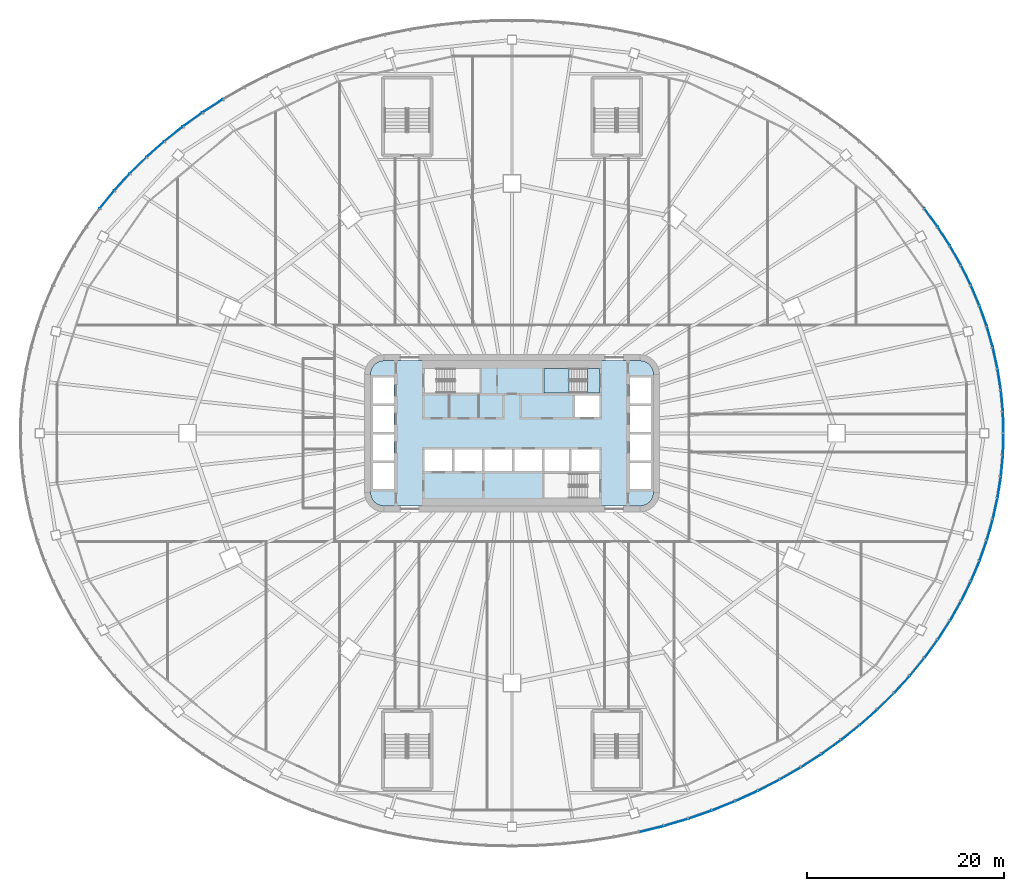
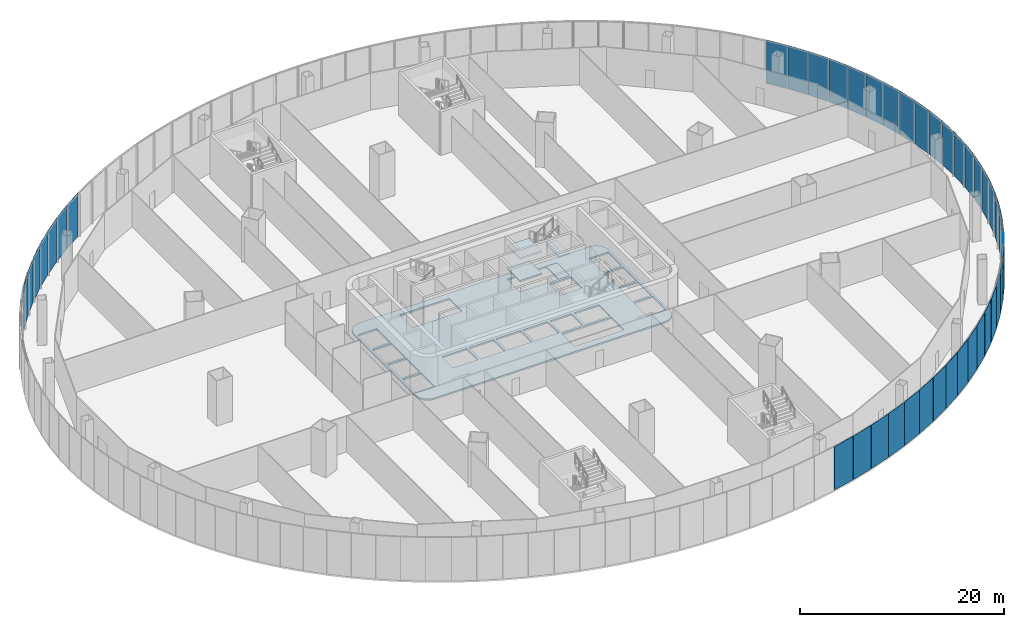
# One storey, part 18 of 42: 43 plates, 5 slabs, 11 elements without a shape of their own.
"""IFC4 building model written with IfcOpenShell, lengths in metres."""

from ifc_helpers import new_model, si_unit, direction, frame, origin, place, context, subcontext, project, spatial, polyline, outline, extrude, material, layer, layer_set, type_object, element, aggregate, save


model = new_model("IFC4")

# Units and contexts
model_context = context("Model", 3, precision=1e-05, world=origin(), true_north=direction((0.0, 1.0)))
body_context = subcontext(model_context, "Body", "Model", "MODEL_VIEW")
ifc_project = project(units=[si_unit("LENGTHUNIT", "METRE"), si_unit("AREAUNIT", "SQUARE_METRE"), si_unit("VOLUMEUNIT", "CUBIC_METRE"), si_unit("PLANEANGLEUNIT", "RADIAN"), si_unit("MASSUNIT", "GRAM", prefix="KILO")], contexts=[model_context])

# Site, building, storey
site_placement = place(None, origin())
site = spatial("IfcSite", under=ifc_project, at=site_placement, CompositionType="ELEMENT")
building_placement = place(site_placement, origin())
building = spatial("IfcBuilding", under=site, at=building_placement, Name="Sahrelin Media Tower", CompositionType="ELEMENT")
storey_placement = place(building_placement, frame((0.0, 0.0, 26.0)))
storey = spatial("IfcBuildingStorey", under=building, at=storey_placement, Name="L03", CompositionType="ELEMENT", Elevation=26.0)

# Slab
ifc_material_1 = material(Name="Concrete C40/50", Category="concrete")
ifc_layer_1 = layer(ifc_material_1, 0.199951171875)
ifc_layer_set_1 = layer_set([ifc_layer_1], Name="Core floor slab 200")
slab_type_1 = type_object("IfcSlabType", Name="Core floor slab 200", PredefinedType="FLOOR", material=ifc_layer_set_1)
placement = place(storey_placement, frame((0.0, 0.0, -0.199951171875)))
element("IfcSlab", 1, at=placement, inside=storey, type_object=slab_type_1, Name="Core floor", PredefinedType="FLOOR", context=body_context, shape_type="SweptSolid", body=[
    extrude(outline(polyline([(-13.986328125, 6.986328125), (-14.2080078125, 6.697509765625), (-14.347412109375, 6.361083984375), (-14.39990234375, 5.960693359375), (-14.39990234375, -5.960693359375), (-14.347412109375, -6.361083984375), (-14.2080078125, -6.697509765625), (-13.986328125, -6.986328125), (-13.697509765625, -7.2080078125), (-13.361083984375, -7.347412109375), (-12.960693359375, -7.39990234375), (12.960693359375, -7.39990234375), (13.361083984375, -7.347412109375), (13.697509765625, -7.2080078125), (13.986328125, -6.986328125), (14.2080078125, -6.697509765625), (14.347412109375, -6.361083984375), (14.39990234375, -5.960693359375), (14.39990234375, 5.960693359375), (14.347412109375, 6.361083984375), (14.2080078125, 6.697509765625), (13.986328125, 6.986328125), (13.697509765625, 7.2080078125), (13.361083984375, 7.347412109375), (12.960693359375, 7.39990234375), (-12.960693359375, 7.39990234375), (-13.361083984375, 7.347412109375), (-13.697509765625, 7.2080078125), (-13.986328125, 6.986328125)]), holes=[polyline([(-14.14990234375, 5.675048828125), (-14.14990234375, 3.02490234375), (-12.0, 3.02490234375), (-12.0, 5.675048828125), (-14.14990234375, 5.675048828125)]), polyline([(-12.0, 2.77490234375), (-14.14990234375, 2.77490234375), (-14.14990234375, 0.125), (-12.0, 0.125), (-12.0, 2.77490234375)]), polyline([(-12.0, -2.77490234375), (-12.0, -0.125), (-14.14990234375, -0.125), (-14.14990234375, -2.77490234375), (-12.0, -2.77490234375)]), polyline([(-14.14990234375, -5.675048828125), (-12.0, -5.675048828125), (-12.0, -3.02490234375), (-14.14990234375, -3.02490234375), (-14.14990234375, -5.675048828125)]), polyline([(12.0, 5.675048828125), (12.0, 3.02490234375), (14.14990234375, 3.02490234375), (14.14990234375, 5.675048828125), (12.0, 5.675048828125)]), polyline([(14.14990234375, 2.77490234375), (12.0, 2.77490234375), (12.0, 0.125), (14.14990234375, 0.125), (14.14990234375, 2.77490234375)]), polyline([(14.14990234375, -2.77490234375), (14.14990234375, -0.125), (12.0, -0.125), (12.0, -2.77490234375), (14.14990234375, -2.77490234375)]), polyline([(12.0, -5.675048828125), (14.14990234375, -5.675048828125), (14.14990234375, -3.02490234375), (12.0, -3.02490234375), (12.0, -5.675048828125)]), polyline([(6.425048828125, 3.85009765625), (6.425048828125, 1.64990234375), (8.875, 1.64990234375), (8.875, 3.85009765625), (6.425048828125, 3.85009765625)]), polyline([(-6.074951171875, -1.64990234375), (-8.875, -1.64990234375), (-8.875, -3.85009765625), (-6.074951171875, -3.85009765625), (-6.074951171875, -1.64990234375)]), polyline([(-3.02490234375, -3.85009765625), (-3.02490234375, -1.64990234375), (-5.824951171875, -1.64990234375), (-5.824951171875, -3.85009765625), (-3.02490234375, -3.85009765625)]), polyline([(-2.77490234375, -3.85009765625), (0.02490234375, -3.85009765625), (0.02490234375, -1.64990234375), (-2.77490234375, -1.64990234375), (-2.77490234375, -3.85009765625)]), polyline([(0.27490234375, -1.64990234375), (0.27490234375, -3.85009765625), (3.074951171875, -3.85009765625), (3.074951171875, -1.64990234375), (0.27490234375, -1.64990234375)]), polyline([(5.77490234375, -1.64990234375), (3.324951171875, -1.64990234375), (3.324951171875, -3.85009765625), (5.77490234375, -3.85009765625), (5.77490234375, -1.64990234375)]), polyline([(8.875, -3.85009765625), (8.875, -1.64990234375), (6.02490234375, -1.64990234375), (6.02490234375, -3.85009765625), (8.875, -3.85009765625)]), polyline([(-8.875, 6.60009765625), (-8.875, 4.10009765625), (-3.27490234375, 4.10009765625), (-3.27490234375, 6.60009765625), (-8.875, 6.60009765625)]), polyline([(3.27490234375, 4.10009765625), (8.875, 4.10009765625), (8.875, 6.60009765625), (3.27490234375, 6.60009765625), (3.27490234375, 4.10009765625)]), polyline([(3.27490234375, -4.10009765625), (3.27490234375, -6.60009765625), (8.875, -6.60009765625), (8.875, -4.10009765625), (3.27490234375, -4.10009765625)])]), origin(), (0.0, 0.0, 1.0), 0.199951171875),
])

# Curtain wall, plates
ifc_material_2 = material(Name="Champagne anodised aluminium 6063-T6", Category="aluminium")
ifc_layer_2 = layer(ifc_material_2, 0.14990234375)
ifc_layer_set_2 = layer_set([ifc_layer_2], Name="Podium ribbon curtain wall")
curtain_wall_type = type_object("IfcCurtainWallType", Name="Podium ribbon curtain wall", PredefinedType="NOTDEFINED", material=ifc_layer_set_2)
curtain_wall_1_placement = place(storey_placement, frame((50.0, 0.0, 0.0), z_axis=(0.0, 0.0, 1.0), x_axis=(1.0, 0.0, 0.0)))
curtain_wall_1 = element("IfcCurtainWall", 2, at=curtain_wall_1_placement, inside=storey, type_object=curtain_wall_type, Name="L03:CW:L03-P00", PredefinedType="NOTDEFINED")
ifc_material_3 = material(Name="Clear low-iron glazing", Category="glass")
ifc_layer_3 = layer(ifc_material_3, 0.050048828125)
ifc_layer_set_3 = layer_set([ifc_layer_3], Name="Glazing panel 50 mm CW5")
plate_type = type_object("IfcPlateType", Name="Glazing panel 50 mm CW5", PredefinedType="CURTAIN_PANEL", material=ifc_layer_set_3)
plate_1_placement = place(storey_placement, frame((50.018310546875, 0.050537109375, 0.0), z_axis=(0.999515505573, 0.031124815153, 0.0), x_axis=(-0.031124815153, 0.999515505573, 0.0)))
plate_1 = element("IfcPlate", 3, at=plate_1_placement, type_object=plate_type, Name="L03:CWP1a:L03-P00", PredefinedType="CURTAIN_PANEL", context=body_context, shape_type="SweptSolid", body=[
    extrude(outline(polyline([(0.0, 0.0), (2.149169921875, 0.0), (2.149169921875, 5.199951171875), (0.0, 5.199951171875), (0.0, 0.0)])), origin(), (0.0, 0.0, -1.0), 0.050048828125),
])
plate_2_placement = place(storey_placement, frame((49.94677734375, 2.249755859375, 0.0), z_axis=(0.995641143161, 0.093266896829, 0.0), x_axis=(-0.093266896829, 0.995641143161, 0.0)))
plate_2 = element("IfcPlate", 4, at=plate_2_placement, type_object=plate_type, Name="L03:CWP2a:L03-P00", PredefinedType="CURTAIN_PANEL", context=body_context, shape_type="SweptSolid", body=[
    extrude(outline(polyline([(0.0, 0.0), (2.151611328125, 0.0), (2.151611328125, 5.199951171875), (0.0, 5.199951171875), (0.0, 0.0)])), origin(), (0.0, 0.0, -1.0), 0.050048828125),
])
plate_3_placement = place(storey_placement, frame((49.738037109375, 4.442626953125, 0.0), z_axis=(0.987953146465, 0.154753288784, 0.0), x_axis=(-0.154753288784, 0.987953146465, 0.0)))
plate_3 = element("IfcPlate", 5, at=plate_3_placement, type_object=plate_type, Name="L03:CWP3a:L03-P00", PredefinedType="CURTAIN_PANEL", context=body_context, shape_type="SweptSolid", body=[
    extrude(outline(polyline([(0.0, 0.0), (2.156494140625, 0.0), (2.156494140625, 5.199951171875), (0.0, 5.199951171875), (0.0, 0.0)])), origin(), (0.0, 0.0, -1.0), 0.050048828125),
])
plate_4_placement = place(storey_placement, frame((49.393310546875, 6.623291015625, 0.0), z_axis=(0.976509812281, 0.21547293686, 0.0), x_axis=(-0.21547293686, 0.976509812281, 0.0)))
plate_4 = element("IfcPlate", 6, at=plate_4_placement, type_object=plate_type, Name="L03:CWP4a:L03-P00", PredefinedType="CURTAIN_PANEL", context=body_context, shape_type="SweptSolid", body=[
    extrude(outline(polyline([(0.0, 0.0), (2.1640625, 0.0), (2.1640625, 5.199951171875), (0.0, 5.199951171875), (0.0, 0.0)])), origin(), (0.0, 0.0, -1.0), 0.050048828125),
])
plate_5_placement = place(storey_placement, frame((48.912841796875, 8.785888671875, 0.0), z_axis=(0.961494274984, 0.274824960972, 0.0), x_axis=(-0.274824960972, 0.961494274984, 0.0)))
plate_5 = element("IfcPlate", 7, at=plate_5_placement, type_object=plate_type, Name="L03:CWP5a:L03-P00", PredefinedType="CURTAIN_PANEL", context=body_context, shape_type="SweptSolid", body=[
    extrude(outline(polyline([(0.0, 0.0), (2.173828125, 0.0), (2.173828125, 5.199951171875), (0.0, 5.199951171875), (0.0, 0.0)])), origin(), (0.0, 0.0, -1.0), 0.050048828125),
])
aggregate(curtain_wall_1, [plate_1, plate_2, plate_3, plate_4, plate_5])

curtain_wall_2_placement = place(storey_placement, frame((48.29638671875, 10.870361328125, 0.0), z_axis=(0.0, 0.0, 1.0), x_axis=(1.0, 0.0, 0.0)))
curtain_wall_2 = element("IfcCurtainWall", 8, at=curtain_wall_2_placement, inside=storey, type_object=curtain_wall_type, Name="L03:CW:L03-P01", PredefinedType="NOTDEFINED")
plate_6_placement = place(storey_placement, frame((48.298583984375, 10.92431640625, 0.0), z_axis=(0.943078982839, 0.332568838179, 0.0), x_axis=(-0.332568838179, 0.943078982839, 0.0)))
plate_6 = element("IfcPlate", 9, at=plate_6_placement, type_object=plate_type, Name="L03:CWP1a:L03-P01", PredefinedType="CURTAIN_PANEL", context=body_context, shape_type="SweptSolid", body=[
    extrude(outline(polyline([(0.0, 0.0), (2.185546875, 0.0), (2.185546875, 5.199951171875), (0.0, 5.199951171875), (0.0, 0.0)])), origin(), (0.0, 0.0, -1.0), 0.050048828125),
])
plate_7_placement = place(storey_placement, frame((47.5517578125, 13.032470703125, 0.0), z_axis=(0.921499510247, 0.388379521363, 0.0), x_axis=(-0.388379521363, 0.921499510247, 0.0)))
plate_7 = element("IfcPlate", 10, at=plate_7_placement, type_object=plate_type, Name="L03:CWP2a:L03-P01", PredefinedType="CURTAIN_PANEL", context=body_context, shape_type="SweptSolid", body=[
    extrude(outline(polyline([(0.0, 0.0), (2.199462890625, 0.0), (2.199462890625, 5.199951171875), (0.0, 5.199951171875), (0.0, 0.0)])), origin(), (0.0, 0.0, -1.0), 0.050048828125),
])
plate_8_placement = place(storey_placement, frame((46.6748046875, 15.105224609375, 0.0), z_axis=(0.896904409808, 0.442224467513, 0.0), x_axis=(-0.442224467513, 0.896904409808, 0.0)))
plate_8 = element("IfcPlate", 11, at=plate_8_placement, type_object=plate_type, Name="L03:CWP3a:L03-P01", PredefinedType="CURTAIN_PANEL", context=body_context, shape_type="SweptSolid", body=[
    extrude(outline(polyline([(0.0, 0.0), (2.21484375, 0.0), (2.21484375, 5.199951171875), (0.0, 5.199951171875), (0.0, 0.0)])), origin(), (0.0, 0.0, -1.0), 0.050048828125),
])
plate_9_placement = place(storey_placement, frame((45.669921875, 17.13623046875, 0.0), z_axis=(0.869579307172, 0.493793305481, 0.0), x_axis=(-0.493793305481, 0.869579307172, 0.0)))
plate_9 = element("IfcPlate", 12, at=plate_9_placement, type_object=plate_type, Name="L03:CWP4a:L03-P01", PredefinedType="CURTAIN_PANEL", context=body_context, shape_type="SweptSolid", body=[
    extrude(outline(polyline([(0.0, 0.0), (2.232421875, 0.0), (2.232421875, 5.199951171875), (0.0, 5.199951171875), (0.0, 0.0)])), origin(), (0.0, 0.0, -1.0), 0.050048828125),
])
plate_10_placement = place(storey_placement, frame((44.5400390625, 19.120361328125, 0.0), z_axis=(0.839858100208, 0.542806016469, 0.0), x_axis=(-0.542806016469, 0.839858100208, 0.0)))
plate_10 = element("IfcPlate", 13, at=plate_10_placement, type_object=plate_type, Name="L03:CWP5a:L03-P01", PredefinedType="CURTAIN_PANEL", context=body_context, shape_type="SweptSolid", body=[
    extrude(outline(polyline([(0.0, 0.0), (2.251220703125, 0.0), (2.251220703125, 5.199951171875), (0.0, 5.199951171875), (0.0, 0.0)])), origin(), (0.0, 0.0, -1.0), 0.050048828125),
])
aggregate(curtain_wall_2, [plate_6, plate_7, plate_8, plate_9, plate_10])

# Curtain wall, plate
curtain_wall_3_placement = place(storey_placement, frame((43.30126953125, 21.0, 0.0), z_axis=(0.0, 0.0, 1.0), x_axis=(1.0, 0.0, 0.0)))
curtain_wall_3 = element("IfcCurtainWall", 14, at=curtain_wall_3_placement, inside=storey, type_object=curtain_wall_type, Name="L03:CW:L03-P02", PredefinedType="NOTDEFINED")
plate_11_placement = place(storey_placement, frame((43.2880859375, 21.05224609375, 0.0), z_axis=(0.807851823107, 0.589385639376, 0.0), x_axis=(-0.589385639376, 0.807851823107, 0.0)))
plate_11 = element("IfcPlate", 15, at=plate_11_placement, type_object=plate_type, Name="L03:CWP1a:L03-P02", PredefinedType="CURTAIN_PANEL", context=body_context, shape_type="SweptSolid", body=[
    extrude(outline(polyline([(0.0, 0.0), (2.270751953125, 0.0), (2.270751953125, 5.199951171875), (0.0, 5.199951171875), (0.0, 0.0)])), origin(), (0.0, 0.0, -1.0), 0.050048828125),
])
aggregate(curtain_wall_3, [plate_11])

# Curtain wall, plates
curtain_wall_4_placement = place(storey_placement, frame((-25.0, 36.373046875, 0.0), z_axis=(0.0, 0.0, 1.0), x_axis=(1.0, 0.0, 0.0)))
curtain_wall_4 = element("IfcCurtainWall", 16, at=curtain_wall_4_placement, inside=storey, type_object=curtain_wall_type, Name="L03:CW:L03-P08", PredefinedType="NOTDEFINED")
plate_12_placement = place(storey_placement, frame((-29.442138671875, 33.968505859375, 0.0), z_axis=(-0.541786842033, 0.840515923585, 0.0), x_axis=(-0.840515923585, -0.541786842033, 0.0)))
plate_12 = element("IfcPlate", 17, at=plate_12_placement, type_object=plate_type, Name="L03:CWP3a:L03-P08", PredefinedType="CURTAIN_PANEL", context=body_context, shape_type="SweptSolid", body=[
    extrude(outline(polyline([(0.0, 0.0), (2.420654296875, 0.0), (2.420654296875, 5.199951171875), (0.0, 5.199951171875), (0.0, 0.0)])), origin(), (0.0, 0.0, -1.0), 0.050048828125),
])
plate_13_placement = place(storey_placement, frame((-31.518310546875, 32.627197265625, 0.0), z_axis=(-0.582853846975, 0.812577007469, 0.0), x_axis=(-0.812577007469, -0.582853846975, 0.0)))
plate_13 = element("IfcPlate", 18, at=plate_13_placement, type_object=plate_type, Name="L03:CWP4a:L03-P08", PredefinedType="CURTAIN_PANEL", context=body_context, shape_type="SweptSolid", body=[
    extrude(outline(polyline([(0.0, 0.0), (2.399658203125, 0.0), (2.399658203125, 5.199951171875), (0.0, 5.199951171875), (0.0, 0.0)])), origin(), (0.0, 0.0, -1.0), 0.050048828125),
])
plate_14_placement = place(storey_placement, frame((-33.508056640625, 31.196533203125, 0.0), z_axis=(-0.623291989144, 0.781989191913, 0.0), x_axis=(-0.781989191913, -0.623291989144, 0.0)))
plate_14 = element("IfcPlate", 19, at=plate_14_placement, type_object=plate_type, Name="L03:CWP5a:L03-P08", PredefinedType="CURTAIN_PANEL", context=body_context, shape_type="SweptSolid", body=[
    extrude(outline(polyline([(0.0, 0.0), (2.37841796875, 0.0), (2.37841796875, 5.199951171875), (0.0, 5.199951171875), (0.0, 0.0)])), origin(), (0.0, 0.0, -1.0), 0.050048828125),
])
aggregate(curtain_wall_4, [plate_12, plate_13, plate_14])

curtain_wall_5_placement = place(storey_placement, frame((-35.355224609375, 29.698486328125, 0.0), z_axis=(0.0, 0.0, 1.0), x_axis=(1.0, 0.0, 0.0)))
curtain_wall_5 = element("IfcCurtainWall", 20, at=curtain_wall_5_placement, inside=storey, type_object=curtain_wall_type, Name="L03:CW:L03-P09", PredefinedType="NOTDEFINED")
plate_15_placement = place(storey_placement, frame((-35.406005859375, 29.680419921875, 0.0), z_axis=(-0.662857735078, 0.74874536596, 0.0), x_axis=(-0.74874536596, -0.662857735078, 0.0)))
plate_15 = element("IfcPlate", 21, at=plate_15_placement, type_object=plate_type, Name="L03:CWP1a:L03-P09", PredefinedType="CURTAIN_PANEL", context=body_context, shape_type="SweptSolid", body=[
    extrude(outline(polyline([(0.0, 0.0), (2.3564453125, 0.0), (2.3564453125, 5.199951171875), (0.0, 5.199951171875), (0.0, 0.0)])), origin(), (0.0, 0.0, -1.0), 0.050048828125),
])
plate_16_placement = place(storey_placement, frame((-37.206787109375, 28.082763671875, 0.0), z_axis=(-0.701173622887, 0.712990568358, 0.0), x_axis=(-0.712990568358, -0.701173622887, 0.0)))
plate_16 = element("IfcPlate", 22, at=plate_16_placement, type_object=plate_type, Name="L03:CWP2a:L03-P09", PredefinedType="CURTAIN_PANEL", context=body_context, shape_type="SweptSolid", body=[
    extrude(outline(polyline([(0.0, 0.0), (2.334716796875, 0.0), (2.334716796875, 5.199951171875), (0.0, 5.199951171875), (0.0, 0.0)])), origin(), (0.0, 0.0, -1.0), 0.050048828125),
])
plate_17_placement = place(storey_placement, frame((-38.90576171875, 26.408203125, 0.0), z_axis=(-0.738366649953, 0.674399503438, 0.0), x_axis=(-0.674399503438, -0.738366649953, 0.0)))
plate_17 = element("IfcPlate", 23, at=plate_17_placement, type_object=plate_type, Name="L03:CWP3a:L03-P09", PredefinedType="CURTAIN_PANEL", context=body_context, shape_type="SweptSolid", body=[
    extrude(outline(polyline([(0.0, 0.0), (2.31298828125, 0.0), (2.31298828125, 5.199951171875), (0.0, 5.199951171875), (0.0, 0.0)])), origin(), (0.0, 0.0, -1.0), 0.050048828125),
])
plate_18_placement = place(storey_placement, frame((-40.497802734375, 24.660888671875, 0.0), z_axis=(-0.773919322532, 0.633284203349, 0.0), x_axis=(-0.633284203349, -0.773919322532, 0.0)))
plate_18 = element("IfcPlate", 24, at=plate_18_placement, type_object=plate_type, Name="L03:CWP4a:L03-P09", PredefinedType="CURTAIN_PANEL", context=body_context, shape_type="SweptSolid", body=[
    extrude(outline(polyline([(0.0, 0.0), (2.29150390625, 0.0), (2.29150390625, 5.199951171875), (0.0, 5.199951171875), (0.0, 0.0)])), origin(), (0.0, 0.0, -1.0), 0.050048828125),
])
aggregate(curtain_wall_5, [plate_15, plate_16, plate_17, plate_18])

curtain_wall_6_placement = place(storey_placement, frame((12.94091796875, -40.56884765625, 0.0), z_axis=(0.0, 0.0, 1.0), x_axis=(1.0, 0.0, 0.0)))
curtain_wall_6 = element("IfcCurtainWall", 25, at=curtain_wall_6_placement, inside=storey, type_object=curtain_wall_type, Name="L03:CW:L03-P19", PredefinedType="NOTDEFINED")
plate_19_placement = place(storey_placement, frame((12.994384765625, -40.576171875, 0.0), z_axis=(0.241425619685, -0.970419326971, 0.0), x_axis=(0.970419326971, 0.241425619685, 0.0)))
plate_19 = element("IfcPlate", 26, at=plate_19_placement, type_object=plate_type, Name="L03:CWP1a:L03-P19", PredefinedType="CURTAIN_PANEL", context=body_context, shape_type="SweptSolid", body=[
    extrude(outline(polyline([(0.0, 0.0), (2.5361328125, 0.0), (2.5361328125, 5.199951171875), (0.0, 5.199951171875), (0.0, 0.0)])), origin(), (0.0, 0.0, -1.0), 0.050048828125),
])
plate_20_placement = place(storey_placement, frame((15.50439453125, -39.94921875, 0.0), z_axis=(0.285102349758, -0.958497078849, 0.0), x_axis=(0.958497078849, 0.285102349758, 0.0)))
plate_20 = element("IfcPlate", 27, at=plate_20_placement, type_object=plate_type, Name="L03:CWP2a:L03-P19", PredefinedType="CURTAIN_PANEL", context=body_context, shape_type="SweptSolid", body=[
    extrude(outline(polyline([(0.0, 0.0), (2.5244140625, 0.0), (2.5244140625, 5.199951171875), (0.0, 5.199951171875), (0.0, 0.0)])), origin(), (0.0, 0.0, -1.0), 0.050048828125),
])
plate_21_placement = place(storey_placement, frame((17.97216796875, -39.212890625, 0.0), z_axis=(0.328656390674, -0.944449562904, 0.0), x_axis=(0.944449562904, 0.328656390674, 0.0)))
plate_21 = element("IfcPlate", 28, at=plate_21_placement, type_object=plate_type, Name="L03:CWP3a:L03-P19", PredefinedType="CURTAIN_PANEL", context=body_context, shape_type="SweptSolid", body=[
    extrude(outline(polyline([(0.0, 0.0), (2.5107421875, 0.0), (2.5107421875, 5.199951171875), (0.0, 5.199951171875), (0.0, 0.0)])), origin(), (0.0, 0.0, -1.0), 0.050048828125),
])
plate_22_placement = place(storey_placement, frame((20.390625, -38.368896484375, 0.0), z_axis=(0.371913588766, -0.928267355071, 0.0), x_axis=(0.928267355071, 0.371913588766, 0.0)))
plate_22 = element("IfcPlate", 29, at=plate_22_placement, type_object=plate_type, Name="L03:CWP4a:L03-P19", PredefinedType="CURTAIN_PANEL", context=body_context, shape_type="SweptSolid", body=[
    extrude(outline(polyline([(0.0, 0.0), (2.4951171875, 0.0), (2.4951171875, 5.199951171875), (0.0, 5.199951171875), (0.0, 0.0)])), origin(), (0.0, 0.0, -1.0), 0.050048828125),
])
plate_23_placement = place(storey_placement, frame((22.75341796875, -37.419677734375, 0.0), z_axis=(0.414930786604, -0.909852978413, 0.0), x_axis=(0.909852978413, 0.414930786604, 0.0)))
plate_23 = element("IfcPlate", 30, at=plate_23_placement, type_object=plate_type, Name="L03:CWP5a:L03-P19", PredefinedType="CURTAIN_PANEL", context=body_context, shape_type="SweptSolid", body=[
    extrude(outline(polyline([(0.0, 0.0), (2.478271484375, 0.0), (2.478271484375, 5.199951171875), (0.0, 5.199951171875), (0.0, 0.0)])), origin(), (0.0, 0.0, -1.0), 0.050048828125),
])
aggregate(curtain_wall_6, [plate_19, plate_20, plate_21, plate_22, plate_23])

curtain_wall_7_placement = place(storey_placement, frame((25.0, -36.373046875, 0.0), z_axis=(0.0, 0.0, 1.0), x_axis=(1.0, 0.0, 0.0)))
curtain_wall_7 = element("IfcCurtainWall", 31, at=curtain_wall_7_placement, inside=storey, type_object=curtain_wall_type, Name="L03:CW:L03-P20", PredefinedType="NOTDEFINED")
plate_24_placement = place(storey_placement, frame((25.0537109375, -36.367919921875, 0.0), z_axis=(0.457661890487, -0.88912630936, 0.0), x_axis=(0.88912630936, 0.457661890487, 0.0)))
plate_24 = element("IfcPlate", 32, at=plate_24_placement, type_object=plate_type, Name="L03:CWP1a:L03-P20", PredefinedType="CURTAIN_PANEL", context=body_context, shape_type="SweptSolid", body=[
    extrude(outline(polyline([(0.0, 0.0), (2.460205078125, 0.0), (2.460205078125, 5.199951171875), (0.0, 5.199951171875), (0.0, 0.0)])), origin(), (0.0, 0.0, -1.0), 0.050048828125),
])
plate_25_placement = place(storey_placement, frame((27.285400390625, -35.216552734375, 0.0), z_axis=(0.499979298005, -0.866037355757, 0.0), x_axis=(0.866037355757, 0.499979298005, 0.0)))
plate_25 = element("IfcPlate", 33, at=plate_25_placement, type_object=plate_type, Name="L03:CWP2a:L03-P20", PredefinedType="CURTAIN_PANEL", context=body_context, shape_type="SweptSolid", body=[
    extrude(outline(polyline([(0.0, 0.0), (2.44091796875, 0.0), (2.44091796875, 5.199951171875), (0.0, 5.199951171875), (0.0, 0.0)])), origin(), (0.0, 0.0, -1.0), 0.050048828125),
])
plate_26_placement = place(storey_placement, frame((29.442138671875, -33.968505859375, 0.0), z_axis=(0.541786842033, -0.840515923585, 0.0), x_axis=(0.840515923585, 0.541786842033, 0.0)))
plate_26 = element("IfcPlate", 34, at=plate_26_placement, type_object=plate_type, Name="L03:CWP3a:L03-P20", PredefinedType="CURTAIN_PANEL", context=body_context, shape_type="SweptSolid", body=[
    extrude(outline(polyline([(0.0, 0.0), (2.420654296875, 0.0), (2.420654296875, 5.199951171875), (0.0, 5.199951171875), (0.0, 0.0)])), origin(), (0.0, 0.0, -1.0), 0.050048828125),
])
plate_27_placement = place(storey_placement, frame((31.518310546875, -32.627197265625, 0.0), z_axis=(0.582853846975, -0.812577007469, 0.0), x_axis=(0.812577007469, 0.582853846975, 0.0)))
plate_27 = element("IfcPlate", 35, at=plate_27_placement, type_object=plate_type, Name="L03:CWP4a:L03-P20", PredefinedType="CURTAIN_PANEL", context=body_context, shape_type="SweptSolid", body=[
    extrude(outline(polyline([(0.0, 0.0), (2.399658203125, 0.0), (2.399658203125, 5.199951171875), (0.0, 5.199951171875), (0.0, 0.0)])), origin(), (0.0, 0.0, -1.0), 0.050048828125),
])
plate_28_placement = place(storey_placement, frame((33.508056640625, -31.196533203125, 0.0), z_axis=(0.623291989144, -0.781989191913, 0.0), x_axis=(0.781989191913, 0.623291989144, 0.0)))
plate_28 = element("IfcPlate", 36, at=plate_28_placement, type_object=plate_type, Name="L03:CWP5a:L03-P20", PredefinedType="CURTAIN_PANEL", context=body_context, shape_type="SweptSolid", body=[
    extrude(outline(polyline([(0.0, 0.0), (2.37841796875, 0.0), (2.37841796875, 5.199951171875), (0.0, 5.199951171875), (0.0, 0.0)])), origin(), (0.0, 0.0, -1.0), 0.050048828125),
])
aggregate(curtain_wall_7, [plate_24, plate_25, plate_26, plate_27, plate_28])

curtain_wall_8_placement = place(storey_placement, frame((35.355224609375, -29.698486328125, 0.0), z_axis=(0.0, 0.0, 1.0), x_axis=(1.0, 0.0, 0.0)))
curtain_wall_8 = element("IfcCurtainWall", 37, at=curtain_wall_8_placement, inside=storey, type_object=curtain_wall_type, Name="L03:CW:L03-P21", PredefinedType="NOTDEFINED")
plate_29_placement = place(storey_placement, frame((35.406005859375, -29.680419921875, 0.0), z_axis=(0.662857735078, -0.74874536596, 0.0), x_axis=(0.74874536596, 0.662857735078, 0.0)))
plate_29 = element("IfcPlate", 38, at=plate_29_placement, type_object=plate_type, Name="L03:CWP1a:L03-P21", PredefinedType="CURTAIN_PANEL", context=body_context, shape_type="SweptSolid", body=[
    extrude(outline(polyline([(0.0, 0.0), (2.3564453125, 0.0), (2.3564453125, 5.199951171875), (0.0, 5.199951171875), (0.0, 0.0)])), origin(), (0.0, 0.0, -1.0), 0.050048828125),
])
plate_30_placement = place(storey_placement, frame((37.206787109375, -28.082763671875, 0.0), z_axis=(0.701173622887, -0.712990568358, 0.0), x_axis=(0.712990568358, 0.701173622887, 0.0)))
plate_30 = element("IfcPlate", 39, at=plate_30_placement, type_object=plate_type, Name="L03:CWP2a:L03-P21", PredefinedType="CURTAIN_PANEL", context=body_context, shape_type="SweptSolid", body=[
    extrude(outline(polyline([(0.0, 0.0), (2.334716796875, 0.0), (2.334716796875, 5.199951171875), (0.0, 5.199951171875), (0.0, 0.0)])), origin(), (0.0, 0.0, -1.0), 0.050048828125),
])
plate_31_placement = place(storey_placement, frame((38.90576171875, -26.408203125, 0.0), z_axis=(0.738366649953, -0.674399503438, 0.0), x_axis=(0.674399503438, 0.738366649953, 0.0)))
plate_31 = element("IfcPlate", 40, at=plate_31_placement, type_object=plate_type, Name="L03:CWP3a:L03-P21", PredefinedType="CURTAIN_PANEL", context=body_context, shape_type="SweptSolid", body=[
    extrude(outline(polyline([(0.0, 0.0), (2.31298828125, 0.0), (2.31298828125, 5.199951171875), (0.0, 5.199951171875), (0.0, 0.0)])), origin(), (0.0, 0.0, -1.0), 0.050048828125),
])
plate_32_placement = place(storey_placement, frame((40.497802734375, -24.660888671875, 0.0), z_axis=(0.773919322532, -0.633284203349, 0.0), x_axis=(0.633284203349, 0.773919322532, 0.0)))
plate_32 = element("IfcPlate", 41, at=plate_32_placement, type_object=plate_type, Name="L03:CWP4a:L03-P21", PredefinedType="CURTAIN_PANEL", context=body_context, shape_type="SweptSolid", body=[
    extrude(outline(polyline([(0.0, 0.0), (2.29150390625, 0.0), (2.29150390625, 5.199951171875), (0.0, 5.199951171875), (0.0, 0.0)])), origin(), (0.0, 0.0, -1.0), 0.050048828125),
])
plate_33_placement = place(storey_placement, frame((41.97900390625, -22.84619140625, 0.0), z_axis=(0.807851823107, -0.589385639376, 0.0), x_axis=(0.589385639376, 0.807851823107, 0.0)))
plate_33 = element("IfcPlate", 42, at=plate_33_placement, type_object=plate_type, Name="L03:CWP5a:L03-P21", PredefinedType="CURTAIN_PANEL", context=body_context, shape_type="SweptSolid", body=[
    extrude(outline(polyline([(0.0, 0.0), (2.270751953125, 0.0), (2.270751953125, 5.199951171875), (0.0, 5.199951171875), (0.0, 0.0)])), origin(), (0.0, 0.0, -1.0), 0.050048828125),
])
aggregate(curtain_wall_8, [plate_29, plate_30, plate_31, plate_32, plate_33])

curtain_wall_9_placement = place(storey_placement, frame((43.30126953125, -21.0, 0.0), z_axis=(0.0, 0.0, 1.0), x_axis=(1.0, 0.0, 0.0)))
curtain_wall_9 = element("IfcCurtainWall", 43, at=curtain_wall_9_placement, inside=storey, type_object=curtain_wall_type, Name="L03:CW:L03-P22", PredefinedType="NOTDEFINED")
plate_34_placement = place(storey_placement, frame((43.34521484375, -20.968994140625, 0.0), z_axis=(0.8398261415, -0.542855461476, 0.0), x_axis=(0.542855461476, 0.8398261415, 0.0)))
plate_34 = element("IfcPlate", 44, at=plate_34_placement, type_object=plate_type, Name="L03:CWP1a:L03-P22", PredefinedType="CURTAIN_PANEL", context=body_context, shape_type="SweptSolid", body=[
    extrude(outline(polyline([(0.0, 0.0), (2.2509765625, 0.0), (2.2509765625, 5.199951171875), (0.0, 5.199951171875), (0.0, 0.0)])), origin(), (0.0, 0.0, -1.0), 0.050048828125),
])
plate_35_placement = place(storey_placement, frame((44.59228515625, -19.033935546875, 0.0), z_axis=(0.869579307172, -0.493793305481, 0.0), x_axis=(0.493793305481, 0.869579307172, 0.0)))
plate_35 = element("IfcPlate", 45, at=plate_35_placement, type_object=plate_type, Name="L03:CWP2a:L03-P22", PredefinedType="CURTAIN_PANEL", context=body_context, shape_type="SweptSolid", body=[
    extrude(outline(polyline([(0.0, 0.0), (2.232421875, 0.0), (2.232421875, 5.199951171875), (0.0, 5.199951171875), (0.0, 0.0)])), origin(), (0.0, 0.0, -1.0), 0.050048828125),
])
plate_36_placement = place(storey_placement, frame((45.71728515625, -17.046875, 0.0), z_axis=(0.896860688501, -0.442313130509, 0.0), x_axis=(0.442313130509, 0.896860688501, 0.0)))
plate_36 = element("IfcPlate", 46, at=plate_36_placement, type_object=plate_type, Name="L03:CWP3a:L03-P22", PredefinedType="CURTAIN_PANEL", context=body_context, shape_type="SweptSolid", body=[
    extrude(outline(polyline([(0.0, 0.0), (2.215087890625, 0.0), (2.215087890625, 5.199951171875), (0.0, 5.199951171875), (0.0, 0.0)])), origin(), (0.0, 0.0, -1.0), 0.050048828125),
])
plate_37_placement = place(storey_placement, frame((46.716796875, -15.01318359375, 0.0), z_axis=(0.921443029492, -0.388513504785, 0.0), x_axis=(0.388513504785, 0.921443029492, 0.0)))
plate_37 = element("IfcPlate", 47, at=plate_37_placement, type_object=plate_type, Name="L03:CWP4a:L03-P22", PredefinedType="CURTAIN_PANEL", context=body_context, shape_type="SweptSolid", body=[
    extrude(outline(polyline([(0.0, 0.0), (2.199462890625, 0.0), (2.199462890625, 5.199951171875), (0.0, 5.199951171875), (0.0, 0.0)])), origin(), (0.0, 0.0, -1.0), 0.050048828125),
])
plate_38_placement = place(storey_placement, frame((47.58837890625, -12.938232421875, 0.0), z_axis=(0.943078982839, -0.332568838179, 0.0), x_axis=(0.332568838179, 0.943078982839, 0.0)))
plate_38 = element("IfcPlate", 48, at=plate_38_placement, type_object=plate_type, Name="L03:CWP5a:L03-P22", PredefinedType="CURTAIN_PANEL", context=body_context, shape_type="SweptSolid", body=[
    extrude(outline(polyline([(0.0, 0.0), (2.185546875, 0.0), (2.185546875, 5.199951171875), (0.0, 5.199951171875), (0.0, 0.0)])), origin(), (0.0, 0.0, -1.0), 0.050048828125),
])
aggregate(curtain_wall_9, [plate_34, plate_35, plate_36, plate_37, plate_38])

curtain_wall_10_placement = place(storey_placement, frame((48.29638671875, -10.870361328125, 0.0), z_axis=(0.0, 0.0, 1.0), x_axis=(1.0, 0.0, 0.0)))
curtain_wall_10 = element("IfcCurtainWall", 49, at=curtain_wall_10_placement, inside=storey, type_object=curtain_wall_type, Name="L03:CW:L03-P23", PredefinedType="NOTDEFINED")
plate_39_placement = place(storey_placement, frame((48.329345703125, -10.827880859375, 0.0), z_axis=(0.961523947641, -0.274721127897, 0.0), x_axis=(0.274721127897, 0.961523947641, 0.0)))
plate_39 = element("IfcPlate", 50, at=plate_39_placement, type_object=plate_type, Name="L03:CWP1a:L03-P23", PredefinedType="CURTAIN_PANEL", context=body_context, shape_type="SweptSolid", body=[
    extrude(outline(polyline([(0.0, 0.0), (2.173828125, 0.0), (2.173828125, 5.199951171875), (0.0, 5.199951171875), (0.0, 0.0)])), origin(), (0.0, 0.0, -1.0), 0.050048828125),
])
plate_40_placement = place(storey_placement, frame((48.937744140625, -8.687744140625, 0.0), z_axis=(0.976533544089, -0.215365357632, 0.0), x_axis=(0.215365357632, 0.976533544089, 0.0)))
plate_40 = element("IfcPlate", 51, at=plate_40_placement, type_object=plate_type, Name="L03:CWP2a:L03-P23", PredefinedType="CURTAIN_PANEL", context=body_context, shape_type="SweptSolid", body=[
    extrude(outline(polyline([(0.0, 0.0), (2.1640625, 0.0), (2.1640625, 5.199951171875), (0.0, 5.199951171875), (0.0, 0.0)])), origin(), (0.0, 0.0, -1.0), 0.050048828125),
])
plate_41_placement = place(storey_placement, frame((49.411865234375, -6.52392578125, 0.0), z_axis=(0.987935832561, -0.154863781247, 0.0), x_axis=(0.154863781247, 0.987935832561, 0.0)))
plate_41 = element("IfcPlate", 52, at=plate_41_placement, type_object=plate_type, Name="L03:CWP3a:L03-P23", PredefinedType="CURTAIN_PANEL", context=body_context, shape_type="SweptSolid", body=[
    extrude(outline(polyline([(0.0, 0.0), (2.15673828125, 0.0), (2.15673828125, 5.199951171875), (0.0, 5.199951171875), (0.0, 0.0)])), origin(), (0.0, 0.0, -1.0), 0.050048828125),
])
plate_42_placement = place(storey_placement, frame((49.750732421875, -4.34228515625, 0.0), z_axis=(0.995641143161, -0.093266896829, 0.0), x_axis=(0.093266896829, 0.995641143161, 0.0)))
plate_42 = element("IfcPlate", 53, at=plate_42_placement, type_object=plate_type, Name="L03:CWP4a:L03-P23", PredefinedType="CURTAIN_PANEL", context=body_context, shape_type="SweptSolid", body=[
    extrude(outline(polyline([(0.0, 0.0), (2.151611328125, 0.0), (2.151611328125, 5.199951171875), (0.0, 5.199951171875), (0.0, 0.0)])), origin(), (0.0, 0.0, -1.0), 0.050048828125),
])
plate_43_placement = place(storey_placement, frame((49.952880859375, -2.148681640625, 0.0), z_axis=(0.999511965258, -0.031238298721, 0.0), x_axis=(0.031238298721, 0.999511965258, 0.0)))
plate_43 = element("IfcPlate", 54, at=plate_43_placement, type_object=plate_type, Name="L03:CWP5a:L03-P23", PredefinedType="CURTAIN_PANEL", context=body_context, shape_type="SweptSolid", body=[
    extrude(outline(polyline([(0.0, 0.0), (2.149169921875, 0.0), (2.149169921875, 5.199951171875), (0.0, 5.199951171875), (0.0, 0.0)])), origin(), (0.0, 0.0, -1.0), 0.050048828125),
])
aggregate(curtain_wall_10, [plate_39, plate_40, plate_41, plate_42, plate_43])

# Stair, slabs
stair_type = type_object("IfcStairType", Name="Exit stair 1200", PredefinedType="HALF_TURN_STAIR", material=ifc_material_1)
stair_placement = place(storey_placement, origin())
stair = element("IfcStair", 55, at=stair_placement, inside=storey, type_object=stair_type, Name="L03 Exit stair ST3", PredefinedType="HALF_TURN_STAIR")
ifc_layer_4 = layer(ifc_material_1, 0.199951171875)
ifc_layer_set_4 = layer_set([ifc_layer_4], Name="Stair landing 200")
slab_type_2 = type_object("IfcSlabType", Name="Stair landing 200", PredefinedType="LANDING", material=ifc_layer_set_4)
slab_2_placement = place(storey_placement, frame((0.0, 0.0, 1.14990234375)))
slab_2 = element("IfcSlab", 56, at=slab_2_placement, type_object=slab_type_2, Name="ST3 landing 1", PredefinedType="LANDING", context=body_context, shape_type="SweptSolid", body=[
    extrude(outline(polyline([(5.77490234375, 6.60009765625), (3.27490234375, 6.60009765625), (3.27490234375, 4.10009765625), (5.77490234375, 4.10009765625), (5.77490234375, 6.60009765625)])), origin(), (0.0, 0.0, 1.0), 0.2001953125),
])
slab_3_placement = place(storey_placement, frame((0.0, 0.0, 2.5)))
slab_3 = element("IfcSlab", 57, at=slab_3_placement, type_object=slab_type_2, Name="ST3 landing 2", PredefinedType="LANDING", context=body_context, shape_type="SweptSolid", body=[
    extrude(outline(polyline([(8.875, 6.60009765625), (7.675048828125, 6.60009765625), (7.675048828125, 4.10009765625), (8.875, 4.10009765625), (8.875, 6.60009765625)])), origin(), (0.0, 0.0, 1.0), 0.199951171875),
])
slab_4_placement = place(storey_placement, frame((0.0, 0.0, 3.85009765625)))
slab_4 = element("IfcSlab", 58, at=slab_4_placement, type_object=slab_type_2, Name="ST3 landing 3", PredefinedType="LANDING", context=body_context, shape_type="SweptSolid", body=[
    extrude(outline(polyline([(5.77490234375, 6.60009765625), (3.27490234375, 6.60009765625), (3.27490234375, 4.10009765625), (5.77490234375, 4.10009765625), (5.77490234375, 6.60009765625)])), origin(), (0.0, 0.0, 1.0), 0.199951171875),
])
slab_5 = element("IfcSlab", 59, at=placement, type_object=slab_type_2, Name="ST3 landing 4", PredefinedType="LANDING", context=body_context, shape_type="SweptSolid", body=[
    extrude(outline(polyline([(8.875, 6.60009765625), (7.675048828125, 6.60009765625), (7.675048828125, 4.10009765625), (8.875, 4.10009765625), (8.875, 6.60009765625)])), origin(), (0.0, 0.0, 1.0), 0.199951171875),
])
aggregate(stair, [slab_2, slab_3, slab_4, slab_5])

save(model, "model.ifc")
